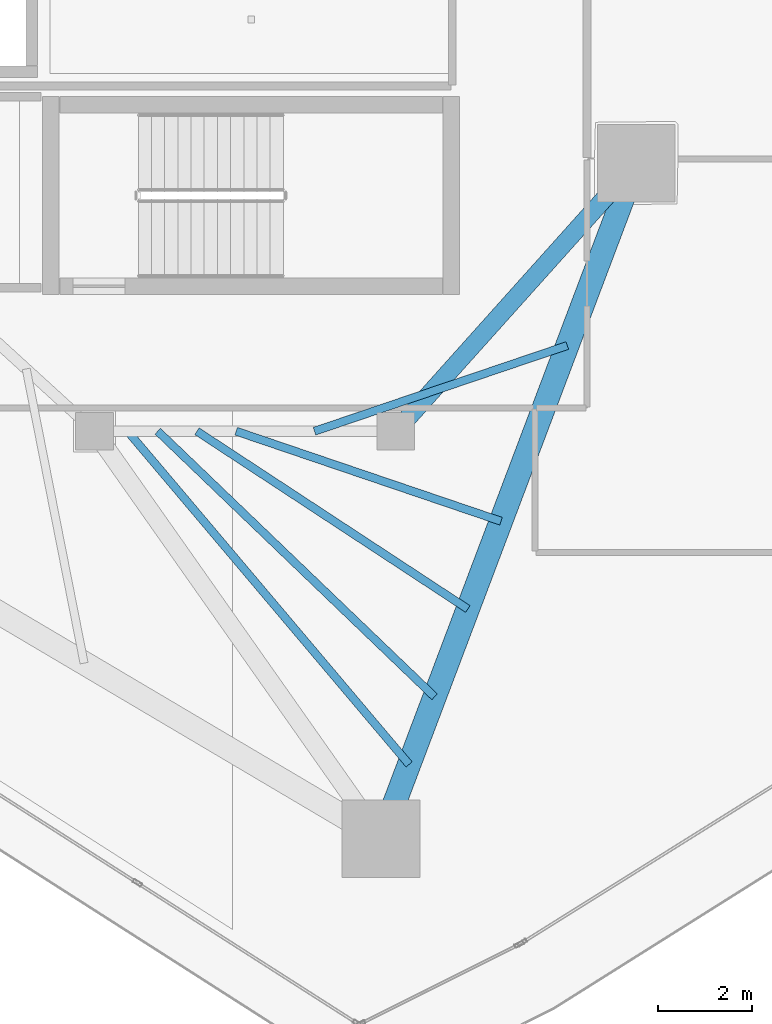
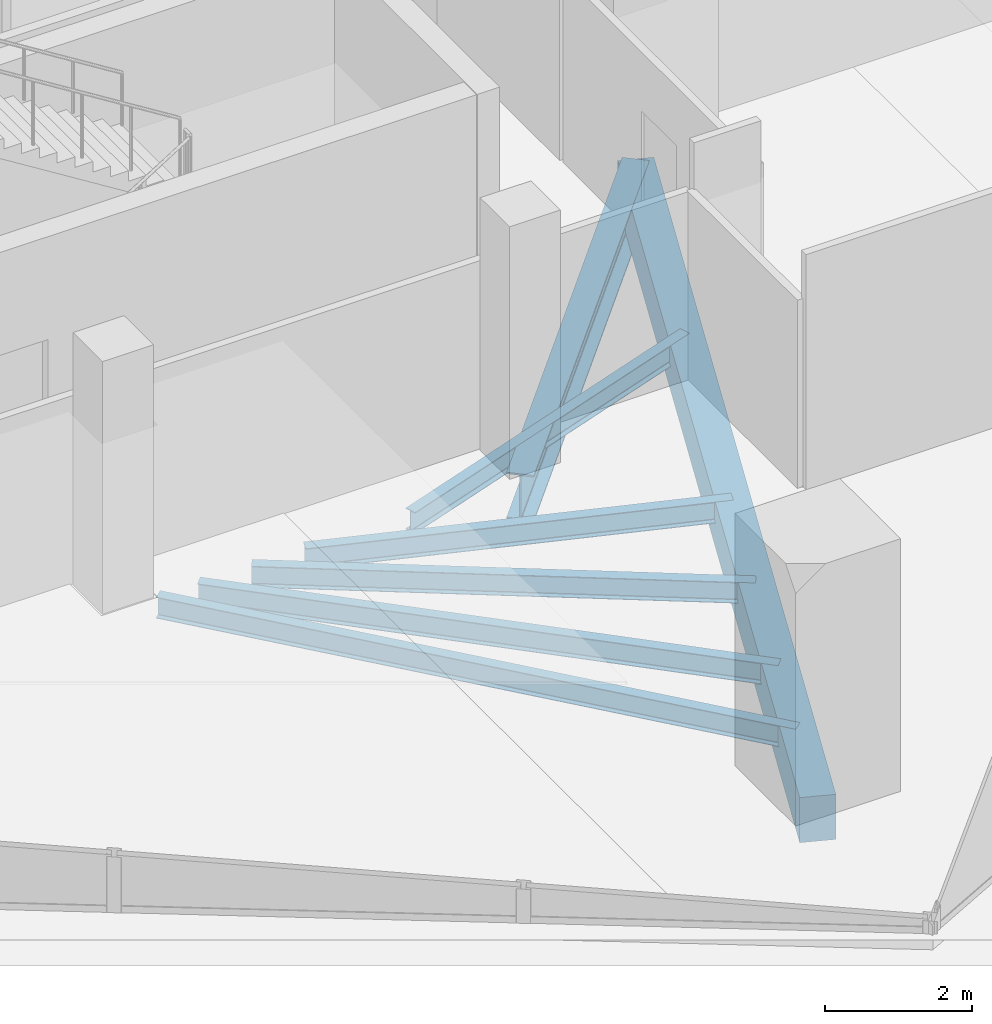
# One storey, part 11 of 34: 7 beams.
"""IFC4 building model written with IfcOpenShell, lengths in metres."""

from ifc_helpers import new_model, si_unit, direction, frame, origin, origin_2d, place, context, subcontext, project, spatial, rectangle, i_section, extrude, material, material_profile, profile_set, type_object, element, save


model = new_model("IFC4")

# Units and contexts
model_context = context("Model", 3, precision=1e-05, world=origin(), true_north=direction((0.0, 1.0)))
body_context = subcontext(model_context, "Body", "Model", "MODEL_VIEW")
ifc_project = project(units=[si_unit("LENGTHUNIT", "METRE"), si_unit("AREAUNIT", "SQUARE_METRE"), si_unit("VOLUMEUNIT", "CUBIC_METRE"), si_unit("PLANEANGLEUNIT", "RADIAN"), si_unit("MASSUNIT", "GRAM", prefix="KILO")], contexts=[model_context])

# Site, building, storey
site_placement = place(None, origin())
site = spatial("IfcSite", under=ifc_project, at=site_placement, CompositionType="ELEMENT")
building_placement = place(site_placement, origin())
building = spatial("IfcBuilding", under=site, at=building_placement, Name="Qorvath Tower", CompositionType="ELEMENT")
storey_placement = place(building_placement, frame((0.0, 0.0, 268.199951171875)))
storey = spatial("IfcBuildingStorey", under=building, at=storey_placement, Name="L62", CompositionType="ELEMENT", Elevation=268.199951171875)

# Beams
ifc_material_1 = material(Name="Steel ASTM A992 Grade 50", Category="steel")
ifc_material_profile_1 = material_profile(ifc_material_1, i_section(OverallWidth=0.381103515625, OverallDepth=0.77294921875, WebThickness=0.0166015625, FlangeThickness=0.027099609375, FilletRadius=0.01904296875, at=origin_2d()), Name="W30x173")
ifc_profile_set_1 = profile_set([ifc_material_profile_1], Name="Steel ASTM A992 Grade 50")
beam_type_1 = type_object("IfcBeamType", Name="BM-FG3", PredefinedType="BEAM", material=ifc_profile_set_1)
beam_1_placement = place(storey_placement, frame((-17.199951171875, -11.449951171875, -0.676513671875), z_axis=(0.667543184261, 0.744571082669, 0.0), x_axis=(-0.744571082669, 0.667543184261, 0.0)))
element("IfcBeam", 1, at=beam_1_placement, inside=storey, type_object=beam_type_1, Name="Radial Floor Girder CC3-MC4 L62", PredefinedType="BEAM", context=body_context, shape_type="SweptSolid", body=[
    extrude(i_section(OverallWidth=0.381103515625, OverallDepth=0.77294921875, WebThickness=0.0166015625, FlangeThickness=0.027099609375, FilletRadius=0.01904296875, at=origin_2d()), origin(), (0.0, 0.0, 1.0), 7.644775390625),
])
ifc_material_2 = material(Name="Steel ASTM A992 Grade 50", Category="steel")
ifc_material_profile_2 = material_profile(ifc_material_2, i_section(OverallWidth=0.1708984375, OverallDepth=0.35107421875, WebThickness=0.0068359375, FlangeThickness=0.009765625, FilletRadius=0.010009765625, at=origin_2d()), Name="W14x30")
ifc_profile_set_2 = profile_set([ifc_material_profile_2], Name="Steel ASTM A992 Grade 50")
beam_type_2 = type_object("IfcBeamType", Name="BM-FJ4", PredefinedType="JOIST", material=ifc_profile_set_2)
beam_2_placement = place(storey_placement, frame((-18.927978515625, -11.449951171875, -0.465576171875), z_axis=(0.947086298547, 0.32097903842, 0.0), x_axis=(-0.32097903842, 0.947086298547, 0.0)))
element("IfcBeam", 2, at=beam_2_placement, inside=storey, type_object=beam_type_2, Name="Composite Floor Joist SE2 L62", PredefinedType="JOIST", context=body_context, shape_type="SweptSolid", body=[
    extrude(i_section(OverallWidth=0.1708984375, OverallDepth=0.35107421875, WebThickness=0.0068359375, FlangeThickness=0.009765625, FilletRadius=0.010009765625, at=origin_2d()), origin(), (0.0, 0.0, 1.0), 5.66796875),
])
beam_3_placement = place(storey_placement, frame((-20.592041015625, -11.449951171875, -0.465576171875), z_axis=(0.946863164885, -0.321636669216, 0.0), x_axis=(0.321636669216, 0.946863164885, 0.0)))
element("IfcBeam", 3, at=beam_3_placement, inside=storey, type_object=beam_type_2, Name="Composite Floor Joist SE4 L62", PredefinedType="JOIST", context=body_context, shape_type="SweptSolid", body=[
    extrude(i_section(OverallWidth=0.1708984375, OverallDepth=0.35107421875, WebThickness=0.0068359375, FlangeThickness=0.009765625, FilletRadius=0.010009765625, at=origin_2d()), origin(), (0.0, 0.0, 1.0), 5.93896484375),
])
beam_4_placement = place(storey_placement, frame((-21.424072265625, -11.449951171875, -0.465576171875), z_axis=(0.835992964387, -0.548740160272, 0.0), x_axis=(0.548740160272, 0.835992964387, 0.0)))
element("IfcBeam", 4, at=beam_4_placement, inside=storey, type_object=beam_type_2, Name="Composite Floor Joist SE5 L62", PredefinedType="JOIST", context=body_context, shape_type="SweptSolid", body=[
    extrude(i_section(OverallWidth=0.1708984375, OverallDepth=0.35107421875, WebThickness=0.0068359375, FlangeThickness=0.009765625, FilletRadius=0.010009765625, at=origin_2d()), origin(), (0.0, 0.0, 1.0), 6.879150390625),
])
beam_5_placement = place(storey_placement, frame((-22.256103515625, -11.449951171875, -0.465576171875), z_axis=(0.721625044611, -0.692284114356, 0.0), x_axis=(0.692284114356, 0.721625044611, 0.0)))
element("IfcBeam", 5, at=beam_5_placement, inside=storey, type_object=beam_type_2, Name="Composite Floor Joist SE6 L62", PredefinedType="JOIST", context=body_context, shape_type="SweptSolid", body=[
    extrude(i_section(OverallWidth=0.1708984375, OverallDepth=0.35107421875, WebThickness=0.0068359375, FlangeThickness=0.009765625, FilletRadius=0.010009765625, at=origin_2d()), origin(), (0.0, 0.0, 1.0), 8.14599609375),
])
beam_6_placement = place(storey_placement, frame((-22.89599609375, -11.449951171875, -0.465576171875), z_axis=(0.645381885676, -0.763860079885, 0.0), x_axis=(0.763860079885, 0.645381885676, 0.0)))
element("IfcBeam", 6, at=beam_6_placement, inside=storey, type_object=beam_type_2, Name="Composite Floor Joist SE7 L62", PredefinedType="JOIST", context=body_context, shape_type="SweptSolid", body=[
    extrude(i_section(OverallWidth=0.1708984375, OverallDepth=0.35107421875, WebThickness=0.0068359375, FlangeThickness=0.009765625, FilletRadius=0.010009765625, at=origin_2d()), origin(), (0.0, 0.0, 1.0), 9.260498046875),
])
ifc_material_3 = material(Name="Concrete C45/55", Category="concrete")
ifc_material_profile_3 = material_profile(ifc_material_3, rectangle(XDim=0.5, YDim=0.75, at=origin_2d()), Name="RCB 750x500")
ifc_profile_set_3 = profile_set([ifc_material_profile_3], Name="Concrete C45/55")
beam_type_3 = type_object("IfcBeamType", Name="BM-RCB3", PredefinedType="SPANDREL", material=ifc_profile_set_3)
beam_7_placement = place(storey_placement, frame((-17.515380859375, -20.1015625, -0.6650390625), z_axis=(0.353397781952, 0.935473146441, 0.0), x_axis=(-0.935473146441, 0.353397781952, 0.0)))
element("IfcBeam", 7, at=beam_7_placement, inside=storey, type_object=beam_type_3, Name="Perimeter Loggia Frame Beam MC3-MC4 L62", PredefinedType="SPANDREL", context=body_context, shape_type="SweptSolid", body=[
    extrude(rectangle(XDim=0.5, YDim=0.75, at=origin_2d()), origin(), (0.0, 0.0, 1.0), 15.333251953125),
])

save(model, "model.ifc")
